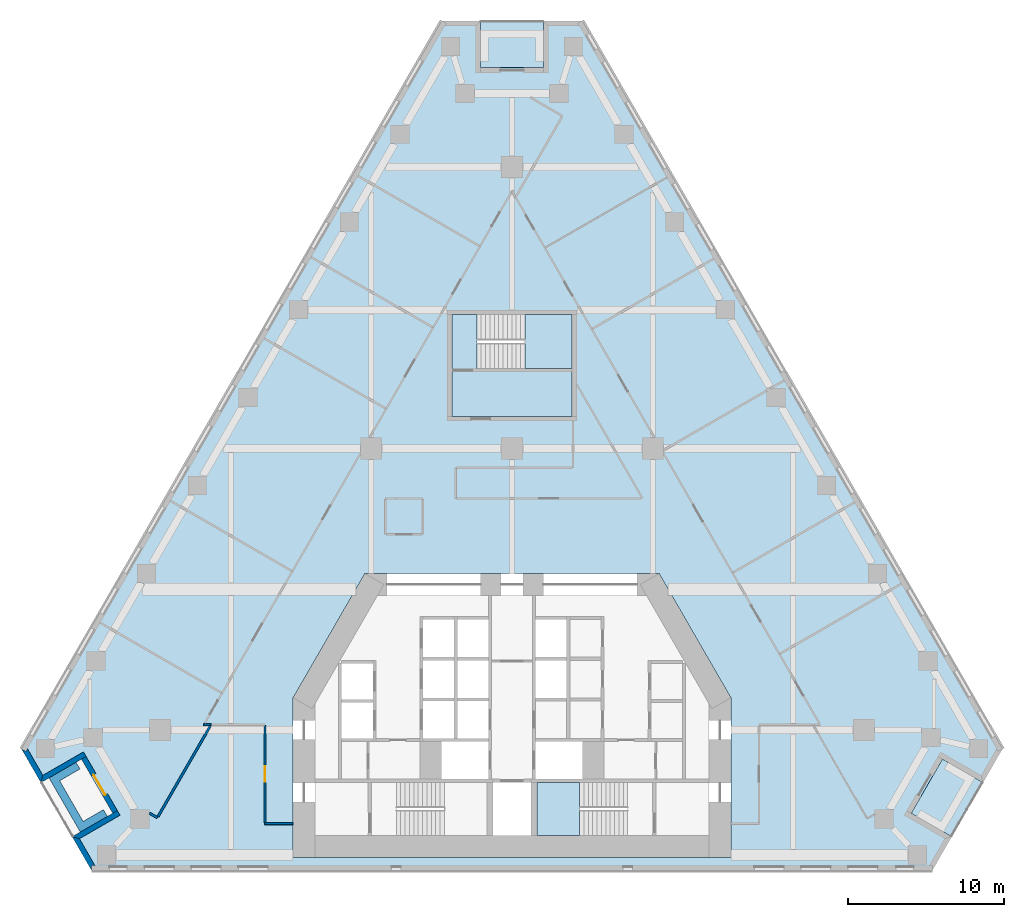
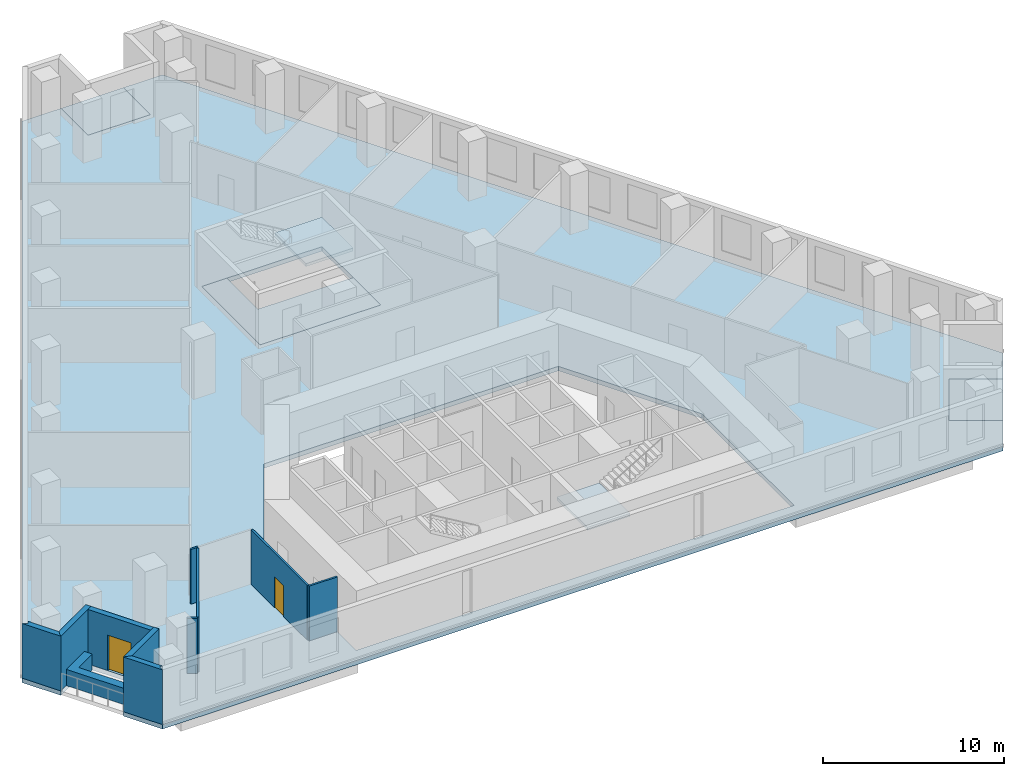
# One storey, part 2 of 9: 11 walls, 6 slabs, 2 doors, 2 openings, 2 elements without a shape of their own.
"""IFC4 building model written with IfcOpenShell, lengths in metres."""

from ifc_helpers import new_model, si_unit, direction, frame, frame_2d, origin, place, context, subcontext, project, spatial, polyline, rectangle, outline, extrude, material, layer, layer_set, type_object, element, fill, aggregate, save


model = new_model("IFC4")

# Units and contexts
model_context = context("Model", 3, precision=1e-05, world=origin(), true_north=direction((0.0, 1.0)))
body_context = subcontext(model_context, "Body", "Model", "MODEL_VIEW")
ifc_project = project(units=[si_unit("LENGTHUNIT", "METRE"), si_unit("AREAUNIT", "SQUARE_METRE"), si_unit("VOLUMEUNIT", "CUBIC_METRE"), si_unit("PLANEANGLEUNIT", "RADIAN"), si_unit("MASSUNIT", "GRAM", prefix="KILO")], contexts=[model_context])

# Site, building, storey
site_placement = place(None, origin())
site = spatial("IfcSite", under=ifc_project, at=site_placement, CompositionType="ELEMENT")
building_placement = place(site_placement, origin())
building = spatial("IfcBuilding", under=site, at=building_placement, Name="Fogline Exchange Tower", CompositionType="ELEMENT")
storey_placement = place(building_placement, frame((0.0, 0.0, 68.89990234375)))
storey = spatial("IfcBuildingStorey", under=building, at=storey_placement, Name="L14", CompositionType="ELEMENT", Elevation=68.89990234375)

# Slabs
ifc_material_1 = material(Name="Concrete C40", Category="concrete")
ifc_layer_1 = layer(ifc_material_1, 0.25)
ifc_layer_set_1 = layer_set([ifc_layer_1], Name="DK1")
slab_type_1 = type_object("IfcSlabType", Name="DK1", PredefinedType="FLOOR", material=ifc_layer_set_1)
slab_1_placement = place(storey_placement, frame((0.0, 0.0, -0.25)))
element("IfcSlab", 1, at=slab_1_placement, inside=storey, type_object=slab_type_1, Name="Balcony L14 SE", PredefinedType="FLOOR", context=body_context, shape_type="SweptSolid", body=[
    extrude(outline(polyline([(28.1328125, 2.1650390625), (30.1328125, 5.629150390625), (27.534912109375, 7.129150390625), (25.534912109375, 3.6650390625), (28.1328125, 2.1650390625)])), origin(), (0.0, 0.0, 1.0), 0.25),
])
slab_2_placement = place(storey_placement, frame((0.0, 0.0, -0.25)))
element("IfcSlab", 2, at=slab_2_placement, inside=storey, type_object=slab_type_1, Name="Balcony L14 N", PredefinedType="FLOOR", context=body_context, shape_type="SweptSolid", body=[
    extrude(outline(polyline([(2.0, 54.356689453125), (-2.0, 54.356689453125), (-2.0, 51.356689453125), (2.0, 51.356689453125), (2.0, 54.356689453125)])), origin(), (0.0, 0.0, 1.0), 0.25),
])
ifc_layer_2 = layer(ifc_material_1, 0.300048828125)
ifc_layer_set_2 = layer_set([ifc_layer_2], Name="S04")
slab_type_2 = type_object("IfcSlabType", Name="S04", PredefinedType="FLOOR", material=ifc_layer_set_2)
slab_3_placement = place(storey_placement, frame((0.0, 0.0, -0.2998046875)))
element("IfcSlab", 3, at=slab_3_placement, inside=storey, type_object=slab_type_2, Name="SLAB L14", PredefinedType="FLOOR", context=body_context, shape_type="SweptSolid", body=[
    extrude(outline(polyline([(-2.0, 54.356689453125), (-4.5, 54.356689453125), (-31.3828125, 7.794189453125), (-30.1328125, 5.629150390625), (-27.534912109375, 7.129150390625), (-25.534912109375, 3.6650390625), (-28.1328125, 2.1650390625), (-26.8828125, 0.0), (26.8828125, 0.0), (28.1328125, 2.1650390625), (25.534912109375, 3.6650390625), (27.534912109375, 7.129150390625), (30.1328125, 5.629150390625), (31.3828125, 7.794189453125), (4.5, 54.356689453125), (2.0, 54.356689453125), (2.0, 51.356689453125), (-2.0, 51.356689453125), (-2.0, 54.356689453125)]), holes=[polyline([(14.0, 11.052490234375), (14.0, 0.85009765625), (-14.0, 0.85009765625), (-14.0, 11.052490234375), (-9.41162109375, 19.0), (9.41162109375, 19.0), (14.0, 11.052490234375)]), polyline([(3.85009765625, 35.556884765625), (3.85009765625, 29.056884765625), (-3.85009765625, 29.056884765625), (-3.85009765625, 35.556884765625), (3.85009765625, 35.556884765625)])]), origin(), (0.0, 0.0, 1.0), 0.2998046875),
])
slab_4_placement = place(storey_placement, frame((0.0, 0.0, -0.2998046875)))
element("IfcSlab", 4, at=slab_4_placement, inside=storey, type_object=slab_type_2, Name="Stair enclosure floor slab", PredefinedType="FLOOR", context=body_context, shape_type="SweptSolid", body=[
    extrude(outline(polyline([(3.85009765625, 29.056884765625), (-3.85009765625, 29.056884765625), (-3.85009765625, 35.556884765625), (-2.239990234375, 35.556884765625), (-2.239990234375, 32.10693359375), (3.85009765625, 32.10693359375), (3.85009765625, 29.056884765625)])), origin(), (0.0, 0.0, 1.0), 0.2998046875),
])

# Stair, slab
stair_type = type_object("IfcStairType", Name="STR24-1667", PredefinedType="HALF_TURN_STAIR", material=ifc_material_1)
stair_1_placement = place(storey_placement, origin())
stair_1 = element("IfcStair", 5, at=stair_1_placement, inside=storey, type_object=stair_type, Name="Stair ST2", PredefinedType="HALF_TURN_STAIR")
ifc_layer_3 = layer(ifc_material_1, 0.199951171875)
ifc_layer_set_3 = layer_set([ifc_layer_3], Name="SL200")
slab_type_3 = type_object("IfcSlabType", Name="SL200", PredefinedType="LANDING", material=ifc_layer_set_3)
slab_5_placement = place(storey_placement, frame((0.0, 0.0, 1.800048828125)))
slab_5 = element("IfcSlab", 6, at=slab_5_placement, type_object=slab_type_3, Name="ST2 landing 1", PredefinedType="LANDING", context=body_context, shape_type="SweptSolid", body=[
    extrude(outline(polyline([(1.60009765625, 2.25), (4.320068359375, 2.25), (4.320068359375, 5.64990234375), (1.60009765625, 5.64990234375), (1.60009765625, 2.25)])), origin(), (0.0, 0.0, 1.0), 0.199951171875),
])
aggregate(stair_1, [slab_5])

stair_2_placement = place(storey_placement, origin())
stair_2 = element("IfcStair", 7, at=stair_2_placement, inside=storey, type_object=stair_type, Name="Stair ST3", PredefinedType="HALF_TURN_STAIR")
slab_6_placement = place(storey_placement, frame((0.0, 0.0, 1.800048828125)))
slab_6 = element("IfcSlab", 8, at=slab_6_placement, type_object=slab_type_3, Name="ST3 landing 1", PredefinedType="LANDING", context=body_context, shape_type="SweptSolid", body=[
    extrude(outline(polyline([(0.830078125, 32.10693359375), (3.85009765625, 32.10693359375), (3.85009765625, 35.556884765625), (0.830078125, 35.556884765625), (0.830078125, 32.10693359375)])), origin(), (0.0, 0.0, 1.0), 0.199951171875),
])
aggregate(stair_2, [slab_6])

# Walls
ifc_material_2 = material(Name="Brick masonry", Category="masonry")
ifc_layer_4 = layer(ifc_material_2, 0.340087890625)
ifc_layer_set_4 = layer_set([ifc_layer_4], Name="FW1")
wall_type_1 = type_object("IfcWallType", Name="FW1", PredefinedType="SOLIDWALL", material=ifc_layer_set_4)
wall_1_placement = place(storey_placement, origin())
element("IfcWall", 9, at=wall_1_placement, inside=storey, type_object=wall_type_1, Name="Brick wall L14 SW-c1", PredefinedType="SOLIDWALL", context=body_context, shape_type="SweptSolid", body=[
    extrude(outline(polyline([(-30.1328125, 5.6279296875), (-31.3837890625, 7.794921875), (-31.383544921875, 7.79541015625), (-31.088623046875, 7.625), (-30.990234375, 7.79541015625), (-30.0078125, 6.09375), (-30.132568359375, 5.6279296875), (-30.1328125, 5.6279296875)])), origin(), (0.0, 0.0, 1.0), 3.7001953125),
])
wall_2_placement = place(storey_placement, origin())
element("IfcWall", 10, at=wall_2_placement, inside=storey, type_object=wall_type_1, Name="Brick wall L14 SW-s1", PredefinedType="SOLIDWALL", context=body_context, shape_type="SweptSolid", body=[
    extrude(outline(polyline([(-27.41015625, 7.594482421875), (-27.239501953125, 7.298828125), (-27.534423828125, 7.128662109375), (-30.133544921875, 5.628173828125), (-30.1337890625, 5.62841796875), (-30.0087890625, 6.093994140625), (-27.41015625, 7.594482421875)])), origin(), (0.0, 0.0, 1.0), 3.7001953125),
])

# Wall, opening, door
wall_3_placement = place(storey_placement, frame((-27.387451171875, 7.214111328125, 0.0), z_axis=(0.0, 0.0, 1.0), x_axis=(0.49999894854, -0.866026010844, 0.0)))
wall_3 = element("IfcWall", 11, at=wall_3_placement, inside=storey, type_object=wall_type_1, Name="Brick wall L14 SW-bk", PredefinedType="SOLIDWALL", context=body_context, shape_type="SweptSolid", body=[
    extrude(rectangle(XDim=4.0, YDim=0.340087890625, at=frame_2d((2.0, 0.0))), origin(), (0.0, 0.0, 1.0), 3.7001953125),
])
opening_1_placement = place(wall_3_placement, frame((1.25, 0.0, 0.0)))
opening_1 = element("IfcOpeningElement", 12, at=opening_1_placement, cuts=wall_3, Name="Opening T04-E021", PredefinedType="OPENING", context=body_context, shape_type="SweptSolid", body=[
    extrude(rectangle(XDim=1.5, YDim=2.39990234375, at=frame_2d((0.75, 1.199951171875))), frame((0.0, 0.18017578125, 0.0), z_axis=(0.0, -1.0, 0.0), x_axis=(1.0, 0.0, 0.0)), (0.0, 0.0, 1.0), 0.360107421875),
])
ifc_material_3 = material(Name="Aluminium and glass", Category="aluminium")
door_type_1 = type_object("IfcDoorType", Name="ED4", OperationType="SINGLE_SWING_LEFT", PredefinedType="DOOR", material=ifc_material_3)
door_1_placement = place(opening_1_placement, frame((1.5, 0.0, 0.0), z_axis=(0.0, 0.0, 1.0), x_axis=(-1.0, 0.0, 0.0)))
door_1 = element("IfcDoor", 13, at=door_1_placement, inside=storey, type_object=door_type_1, Name="Balcony door L14 SW", OperationType="DOUBLE_DOOR_SINGLE_SWING", OverallHeight=2.39990234375, OverallWidth=1.5, PredefinedType="DOOR", context=body_context, shape_type="SweptSolid", body=[
    extrude(rectangle(XDim=1.5, YDim=2.39990234375, at=frame_2d((0.75, 1.199951171875))), frame((0.0, 0.02490234375, 0.0), z_axis=(0.0, -1.0, 0.0), x_axis=(1.0, 0.0, 0.0)), (0.0, 0.0, 1.0), 0.050048828125),
])
fill(opening_1, door_1)

# Walls
wall_4_placement = place(storey_placement, origin())
element("IfcWall", 14, at=wall_4_placement, inside=storey, type_object=wall_type_1, Name="Brick wall L14 SW-s2", PredefinedType="SOLIDWALL", context=body_context, shape_type="SweptSolid", body=[
    extrude(outline(polyline([(-28.134033203125, 2.1650390625), (-25.53515625, 3.66552734375), (-25.239990234375, 3.8359375), (-25.069580078125, 3.540283203125), (-27.668212890625, 2.0400390625), (-28.134033203125, 2.164794921875), (-28.134033203125, 2.1650390625)])), origin(), (0.0, 0.0, 1.0), 3.7001953125),
])
wall_5_placement = place(storey_placement, origin())
element("IfcWall", 15, at=wall_5_placement, inside=storey, type_object=wall_type_1, Name="Brick wall L14 SW-c2", PredefinedType="SOLIDWALL", context=body_context, shape_type="SweptSolid", body=[
    extrude(outline(polyline([(-26.685546875, 0.33935546875), (-26.88232421875, 0.33935546875), (-26.88232421875, -0.0009765625), (-26.8828125, -0.001220703125), (-28.1337890625, 2.165771484375), (-28.1337890625, 2.166015625), (-27.66796875, 2.041015625), (-26.685546875, 0.33935546875)])), origin(), (0.0, 0.0, 1.0), 3.7001953125),
])
ifc_material_4 = material(Name="Concrete C30", Category="concrete")
ifc_layer_5 = layer(ifc_material_4, 0.199951171875)
ifc_layer_set_5 = layer_set([ifc_layer_5], Name="PL1")
wall_type_2 = type_object("IfcWallType", Name="PL1", PredefinedType="USERDEFINED", material=ifc_layer_set_5)
wall_6_placement = place(storey_placement, origin())
element("IfcWall", 16, at=wall_6_placement, inside=storey, type_object=wall_type_2, Name="PLANTER balcony L14 SW", ObjectType="PLANTER", PredefinedType="USERDEFINED", context=body_context, shape_type="SweptSolid", body=[
    extrude(outline(polyline([(-26.131103515625, 3.898193359375), (-27.43017578125, 3.148193359375), (-28.93017578125, 5.74609375), (-27.631103515625, 6.49609375), (-27.881103515625, 6.92919921875), (-29.61328125, 5.92919921875), (-29.36328125, 5.49609375), (-27.61328125, 2.465087890625), (-27.18017578125, 2.715087890625), (-27.18017578125, 2.715087890625), (-25.881103515625, 3.465087890625), (-26.131103515625, 3.898193359375)])), origin(), (0.0, 0.0, 1.0), 1.10009765625),
])
ifc_material_5 = material(Name="Plasterboard corridor partition with mineral wool, 2 layers each side")
ifc_layer_6 = layer(ifc_material_5, 0.125)
ifc_layer_set_6 = layer_set([ifc_layer_6], Name="PW2")
wall_type_3 = type_object("IfcWallType", Name="PW2", PredefinedType="PARTITIONING", material=ifc_layer_set_6)
wall_7_placement = place(storey_placement, frame((-14.0, 3.0, 0.0), z_axis=(0.0, 0.0, 1.0), x_axis=(-1.0, 0.0, 0.0)))
element("IfcWall", 17, at=wall_7_placement, inside=storey, type_object=wall_type_3, Name="wall-L14-W007", PredefinedType="PARTITIONING", context=body_context, shape_type="SweptSolid", body=[
    extrude(rectangle(XDim=1.800048828125, YDim=0.125, at=frame_2d((0.89990234375, 0.0))), origin(), (0.0, 0.0, 1.0), 3.7001953125),
])

# Wall, opening, door
wall_8_placement = place(storey_placement, frame((-15.800048828125, 3.0625, 0.0), z_axis=(0.0, 0.0, 1.0), x_axis=(0.0, 1.0, 0.0)))
wall_8 = element("IfcWall", 18, at=wall_8_placement, inside=storey, type_object=wall_type_3, Name="wall-L14-W008", PredefinedType="PARTITIONING", context=body_context, shape_type="SweptSolid", body=[
    extrude(rectangle(XDim=6.215087890625, YDim=0.125, at=frame_2d((3.107421875, 0.0))), origin(), (0.0, 0.0, 1.0), 3.7001953125),
])
opening_2_placement = place(wall_8_placement, frame((2.607421875, 0.0, 0.0)))
opening_2 = element("IfcOpeningElement", 19, at=opening_2_placement, cuts=wall_8, Name="Opening T04-D004", PredefinedType="OPENING", context=body_context, shape_type="SweptSolid", body=[
    extrude(rectangle(XDim=1.0, YDim=2.10009765625, at=frame_2d((0.5, 1.050048828125))), frame((0.0, 0.072509765625, 0.0), z_axis=(0.0, -1.0, 0.0), x_axis=(1.0, 0.0, 0.0)), (0.0, 0.0, 1.0), 0.14501953125),
])
ifc_material_6 = material(Name="Fire-rated timber door leaf with steel frame", Category="steel")
door_type_2 = type_object("IfcDoorType", Name="D3", OperationType="SINGLE_SWING_LEFT", PredefinedType="DOOR", material=ifc_material_6)
door_2_placement = place(opening_2_placement, origin())
door_2 = element("IfcDoor", 20, at=door_2_placement, inside=storey, type_object=door_type_2, Name="door-L14-D004", OperationType="SINGLE_SWING_LEFT", OverallHeight=2.10009765625, OverallWidth=1.0, PredefinedType="DOOR", context=body_context, shape_type="SweptSolid", body=[
    extrude(rectangle(XDim=1.0, YDim=2.10009765625, at=frame_2d((0.5, 1.050048828125))), frame((0.0, 0.02490234375, 0.0), z_axis=(0.0, -1.0, 0.0), x_axis=(1.0, 0.0, 0.0)), (0.0, 0.0, 1.0), 0.050048828125),
])
fill(opening_2, door_2)

# Walls
wall_9_placement = place(storey_placement, frame((-19.24365234375, 9.340087890625, 0.0), z_axis=(0.0, 0.0, 1.0), x_axis=(-1.0, 0.0, 0.0)))
element("IfcWall", 21, at=wall_9_placement, inside=storey, type_object=wall_type_3, Name="wall-L14-W022", PredefinedType="PARTITIONING", context=body_context, shape_type="SweptSolid", body=[
    extrude(rectangle(XDim=0.4619140625, YDim=0.125, at=frame_2d((0.23095703125, 0.0))), origin(), (0.0, 0.0, 1.0), 3.7001953125),
])
ifc_material_7 = material(Name="Plasterboard demising partition with mineral wool and acoustic board")
ifc_layer_7 = layer(ifc_material_7, 0.14990234375)
ifc_layer_set_7 = layer_set([ifc_layer_7], Name="PW3")
wall_type_4 = type_object("IfcWallType", Name="PW3", PredefinedType="PARTITIONING", material=ifc_layer_set_7)
wall_10_placement = place(storey_placement, frame((-19.301513671875, 9.239501953125, 0.0), z_axis=(0.0, 0.0, 1.0), x_axis=(-0.50000575311, -0.866022082199, 0.0)))
element("IfcWall", 22, at=wall_10_placement, inside=storey, type_object=wall_type_4, Name="wall-L14-W045", PredefinedType="PARTITIONING", context=body_context, shape_type="SweptSolid", body=[
    extrude(rectangle(XDim=6.68896484375, YDim=0.14990234375, at=frame_2d((3.344482421875, 0.0))), origin(), (0.0, 0.0, 1.0), 3.7001953125),
])
wall_11_placement = place(storey_placement, frame((-22.68359375, 3.381591796875, 0.0), z_axis=(0.0, 0.0, 1.0), x_axis=(-0.865924606013, 0.500174546235, 0.0)))
element("IfcWall", 23, at=wall_11_placement, inside=storey, type_object=wall_type_4, Name="wall-L14-W046", PredefinedType="PARTITIONING", context=body_context, shape_type="SweptSolid", body=[
    extrude(rectangle(XDim=0.592041015625, YDim=0.14990234375, at=frame_2d((0.2958984375, 0.0))), origin(), (0.0, 0.0, 1.0), 3.7001953125),
])

save(model, "model.ifc")
